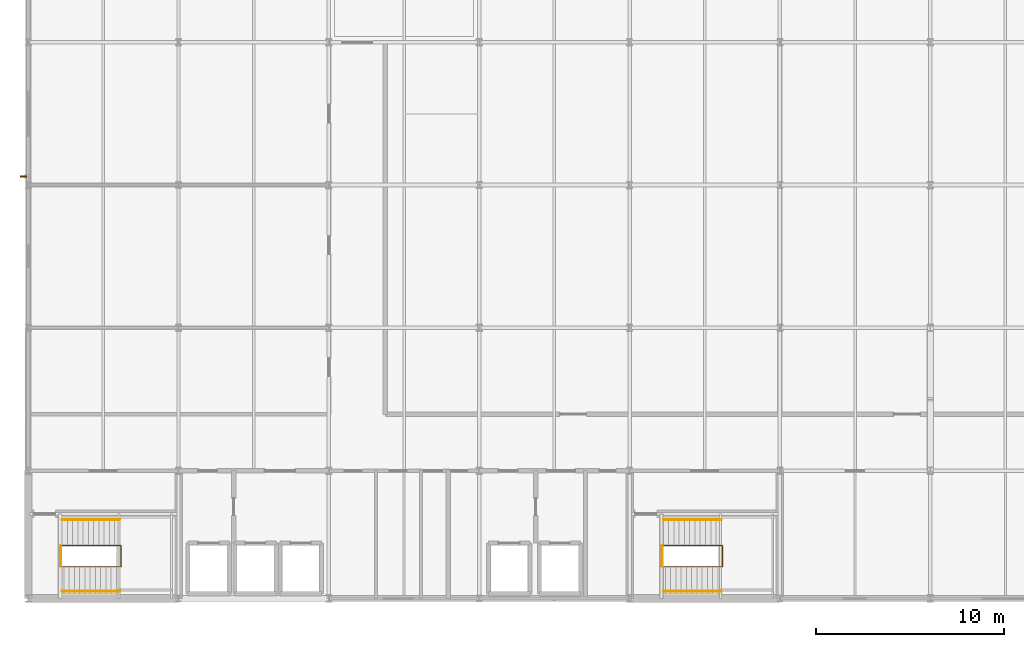
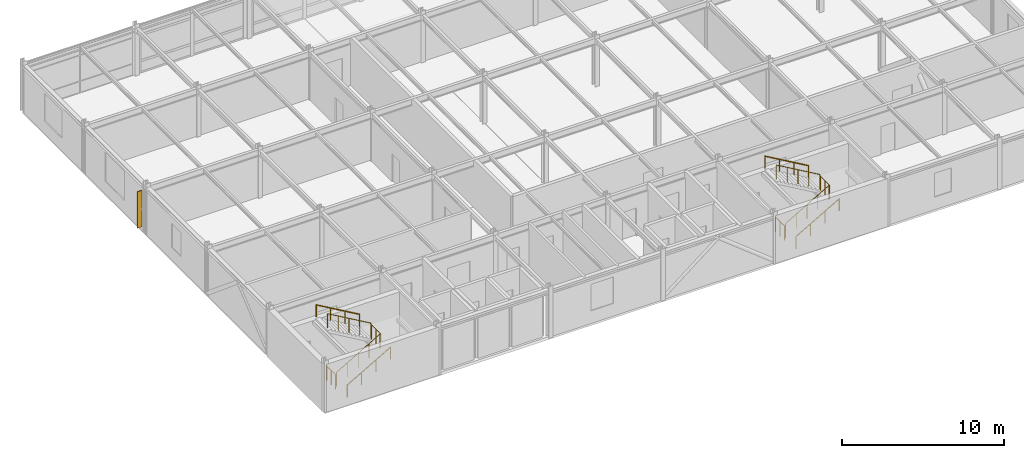
# One storey, part 14 of 15: 8 railings, 1 shading device.
"""IFC4 building model written with IfcOpenShell, lengths in metres."""

from ifc_helpers import new_model, si_unit, direction, frame, origin, origin_2d, place, context, subcontext, project, spatial, rectangle, circle, extrude, material, layer, layer_set, type_object, element, save


model = new_model("IFC4")

# Units and contexts
model_context = context("Model", 3, precision=1e-05, world=origin(), true_north=direction((0.0, 1.0)))
body_context = subcontext(model_context, "Body", "Model", "MODEL_VIEW")
ifc_project = project(units=[si_unit("LENGTHUNIT", "METRE"), si_unit("AREAUNIT", "SQUARE_METRE"), si_unit("VOLUMEUNIT", "CUBIC_METRE"), si_unit("PLANEANGLEUNIT", "RADIAN"), si_unit("MASSUNIT", "GRAM", prefix="KILO")], contexts=[model_context])

# Site, building, storey
site_placement = place(None, origin())
site = spatial("IfcSite", under=ifc_project, at=site_placement, CompositionType="ELEMENT")
building_placement = place(site_placement, origin())
building = spatial("IfcBuilding", under=site, at=building_placement, Name="Shalkamar Park Central Library", CompositionType="ELEMENT")
storey_placement = place(building_placement, frame((0.0, 0.0, 47.699951171875)))
storey = spatial("IfcBuildingStorey", under=building, at=storey_placement, Name="L12", CompositionType="ELEMENT", Elevation=47.699951171875)

# Shading device
ifc_material_1 = material(Name="Anodized bronze aluminium solar fin", Category="aluminium")
ifc_layer = layer(ifc_material_1, 0.06005859375)
ifc_layer_set = layer_set([ifc_layer], Name="BronzeSolarLouvreBlade")
shading_device_type = type_object("IfcShadingDeviceType", Name="Bronze Solar Louvre Blade", PredefinedType="SHUTTER", material=ifc_layer_set)
shading_device_placement = place(storey_placement, frame((164.739990234375, 270.85595703125, 0.2998046875), z_axis=(0.0, 0.0, 1.0), x_axis=(1.0, 0.0, 0.0)))
element("IfcShadingDevice", 1, at=shading_device_placement, inside=storey, type_object=shading_device_type, Name="Vertical Solar Fin L12-017", PredefinedType="SHUTTER", context=body_context, shape_type="SweptSolid", body=[
    extrude(rectangle(XDim=0.35009765625, YDim=0.06005859375, at=origin_2d()), origin(), (0.0, 0.0, 1.0), 2.738037109375),
])

# Railings
ifc_material_2 = material(Name="Steel S355", Category="steel")
railing_type_1 = type_object("IfcRailingType", Name="Stair Guardrail 1100", PredefinedType="GUARDRAIL", material=ifc_material_2)
railing_1_placement = place(storey_placement, frame((166.800048828125, 250.090087890625, 0.16259765625)))
element("IfcRailing", 2, at=railing_1_placement, inside=storey, type_object=railing_type_1, Name="Stair Inner Well Guardrail ST-T1-L12", PredefinedType="GUARDRAIL", context=body_context, shape_type="SweptSolid", body=[
    extrude(circle(Radius=0.02392578125, at=origin_2d()), frame((0.0, 0.0, 1.076171875), z_axis=(0.864903211148, 0.0, 0.501938676878), x_axis=(0.0, 1.0, 0.0)), (0.0, 0.0, 1.0), 3.560791015625),
    extrude(circle(Radius=0.02392578125, at=origin_2d()), frame((3.079833984375, 0.0, 2.86328125), z_axis=(1.0, 0.0, 0.0), x_axis=(0.0, 1.0, 0.0)), (0.0, 0.0, 1.0), 0.06005859375),
    extrude(circle(Radius=0.02392578125, at=origin_2d()), frame((3.139892578125, 0.0, 2.86328125), z_axis=(0.0, 1.0, 0.0), x_axis=(-1.0, 0.0, 0.0)), (0.0, 0.0, 1.0), 1.119873046875),
    extrude(circle(Radius=0.02392578125, at=origin_2d()), frame((3.139892578125, 1.119873046875, 2.86328125), z_axis=(-0.346488496144, 0.0, 0.938054221269), x_axis=(0.0, -1.0, 0.0)), (0.0, 0.0, 1.0), 0.17333984375),
    extrude(circle(Radius=0.02392578125, at=origin_2d()), frame((3.079833984375, 1.119873046875, 3.02587890625), z_axis=(-0.864873446163, 0.0, 0.501989962173), x_axis=(0.0, -1.0, 0.0)), (0.0, 0.0, 1.0), 3.56103515625),
    extrude(circle(Radius=0.02099609375, at=origin_2d()), origin(), (0.0, 0.0, 1.0), 1.052001953125),
    extrude(circle(Radius=0.02099609375, at=origin_2d()), frame((0.77001953125, 0.0, 0.44677734375)), (0.0, 0.0, 1.0), 1.052001953125),
    extrude(circle(Radius=0.02099609375, at=origin_2d()), frame((1.5400390625, 0.0, 0.8935546875)), (0.0, 0.0, 1.0), 1.052001953125),
    extrude(circle(Radius=0.02099609375, at=origin_2d()), frame((2.309814453125, 0.0, 1.340576171875)), (0.0, 0.0, 1.0), 1.052001953125),
    extrude(circle(Radius=0.02099609375, at=origin_2d()), frame((3.079833984375, 0.0, 1.787353515625)), (0.0, 0.0, 1.0), 1.052001953125),
    extrude(circle(Radius=0.02099609375, at=origin_2d()), frame((3.139892578125, 0.0, 1.787353515625)), (0.0, 0.0, 1.0), 1.052001953125),
    extrude(circle(Radius=0.02099609375, at=origin_2d()), frame((3.139892578125, 0.56005859375, 1.787353515625)), (0.0, 0.0, 1.0), 1.052001953125),
    extrude(circle(Radius=0.02099609375, at=origin_2d()), frame((3.139892578125, 1.119873046875, 1.787353515625)), (0.0, 0.0, 1.0), 1.052001953125),
    extrude(circle(Radius=0.02099609375, at=origin_2d()), frame((3.079833984375, 1.119873046875, 1.949951171875)), (0.0, 0.0, 1.0), 1.052001953125),
    extrude(circle(Radius=0.02099609375, at=origin_2d()), frame((2.309814453125, 1.119873046875, 2.39697265625)), (0.0, 0.0, 1.0), 1.052001953125),
    extrude(circle(Radius=0.02099609375, at=origin_2d()), frame((1.5400390625, 1.119873046875, 2.84375)), (0.0, 0.0, 1.0), 1.052001953125),
    extrude(circle(Radius=0.02099609375, at=origin_2d()), frame((0.77001953125, 1.119873046875, 3.29052734375)), (0.0, 0.0, 1.0), 1.052001953125),
    extrude(circle(Radius=0.02099609375, at=origin_2d()), frame((0.0, 1.119873046875, 3.737548828125)), (0.0, 0.0, 1.0), 1.052001953125),
])
railing_2_placement = place(storey_placement, frame((166.739990234375, 250.10009765625, 0.0)))
element("IfcRailing", 3, at=railing_2_placement, inside=storey, type_object=railing_type_1, Name="Stair Arrival Well Guardrail ST-T1 (L12)", PredefinedType="GUARDRAIL", context=body_context, shape_type="SweptSolid", body=[
    extrude(circle(Radius=0.02392578125, at=origin_2d()), frame((0.0, 0.0, 1.076171875), z_axis=(0.0, 1.0, 0.0), x_axis=(-1.0, 0.0, 0.0)), (0.0, 0.0, 1.0), 1.099853515625),
    extrude(circle(Radius=0.02099609375, at=origin_2d()), origin(), (0.0, 0.0, 1.0), 1.052001953125),
    extrude(circle(Radius=0.02099609375, at=origin_2d()), frame((0.0, 0.5498046875, 0.0)), (0.0, 0.0, 1.0), 1.052001953125),
    extrude(circle(Radius=0.02099609375, at=origin_2d()), frame((0.0, 1.099853515625, 0.0)), (0.0, 0.0, 1.0), 1.052001953125),
])
railing_3_placement = place(storey_placement, frame((198.800048828125, 250.090087890625, 0.16259765625)))
element("IfcRailing", 4, at=railing_3_placement, inside=storey, type_object=railing_type_1, Name="Stair Inner Well Guardrail ST-T2-L12", PredefinedType="GUARDRAIL", context=body_context, shape_type="SweptSolid", body=[
    extrude(circle(Radius=0.02392578125, at=origin_2d()), frame((0.0, 0.0, 1.076171875), z_axis=(0.864903211148, 0.0, 0.501938676878), x_axis=(0.0, 1.0, 0.0)), (0.0, 0.0, 1.0), 3.560791015625),
    extrude(circle(Radius=0.02392578125, at=origin_2d()), frame((3.079833984375, 0.0, 2.86328125), z_axis=(1.0, 0.0, 0.0), x_axis=(0.0, 1.0, 0.0)), (0.0, 0.0, 1.0), 0.06005859375),
    extrude(circle(Radius=0.02392578125, at=origin_2d()), frame((3.139892578125, 0.0, 2.86328125), z_axis=(0.0, 1.0, 0.0), x_axis=(-1.0, 0.0, 0.0)), (0.0, 0.0, 1.0), 1.119873046875),
    extrude(circle(Radius=0.02392578125, at=origin_2d()), frame((3.139892578125, 1.119873046875, 2.86328125), z_axis=(-0.346488496144, 0.0, 0.938054221269), x_axis=(0.0, -1.0, 0.0)), (0.0, 0.0, 1.0), 0.17333984375),
    extrude(circle(Radius=0.02392578125, at=origin_2d()), frame((3.079833984375, 1.119873046875, 3.02587890625), z_axis=(-0.864873446163, 0.0, 0.501989962173), x_axis=(0.0, -1.0, 0.0)), (0.0, 0.0, 1.0), 3.56103515625),
    extrude(circle(Radius=0.02099609375, at=origin_2d()), origin(), (0.0, 0.0, 1.0), 1.052001953125),
    extrude(circle(Radius=0.02099609375, at=origin_2d()), frame((0.77001953125, 0.0, 0.44677734375)), (0.0, 0.0, 1.0), 1.052001953125),
    extrude(circle(Radius=0.02099609375, at=origin_2d()), frame((1.5400390625, 0.0, 0.8935546875)), (0.0, 0.0, 1.0), 1.052001953125),
    extrude(circle(Radius=0.02099609375, at=origin_2d()), frame((2.309814453125, 0.0, 1.340576171875)), (0.0, 0.0, 1.0), 1.052001953125),
    extrude(circle(Radius=0.02099609375, at=origin_2d()), frame((3.079833984375, 0.0, 1.787353515625)), (0.0, 0.0, 1.0), 1.052001953125),
    extrude(circle(Radius=0.02099609375, at=origin_2d()), frame((3.139892578125, 0.0, 1.787353515625)), (0.0, 0.0, 1.0), 1.052001953125),
    extrude(circle(Radius=0.02099609375, at=origin_2d()), frame((3.139892578125, 0.56005859375, 1.787353515625)), (0.0, 0.0, 1.0), 1.052001953125),
    extrude(circle(Radius=0.02099609375, at=origin_2d()), frame((3.139892578125, 1.119873046875, 1.787353515625)), (0.0, 0.0, 1.0), 1.052001953125),
    extrude(circle(Radius=0.02099609375, at=origin_2d()), frame((3.079833984375, 1.119873046875, 1.949951171875)), (0.0, 0.0, 1.0), 1.052001953125),
    extrude(circle(Radius=0.02099609375, at=origin_2d()), frame((2.309814453125, 1.119873046875, 2.39697265625)), (0.0, 0.0, 1.0), 1.052001953125),
    extrude(circle(Radius=0.02099609375, at=origin_2d()), frame((1.5400390625, 1.119873046875, 2.84375)), (0.0, 0.0, 1.0), 1.052001953125),
    extrude(circle(Radius=0.02099609375, at=origin_2d()), frame((0.77001953125, 1.119873046875, 3.29052734375)), (0.0, 0.0, 1.0), 1.052001953125),
    extrude(circle(Radius=0.02099609375, at=origin_2d()), frame((0.0, 1.119873046875, 3.737548828125)), (0.0, 0.0, 1.0), 1.052001953125),
])
railing_4_placement = place(storey_placement, frame((198.739990234375, 250.10009765625, 0.0)))
element("IfcRailing", 5, at=railing_4_placement, inside=storey, type_object=railing_type_1, Name="Stair Arrival Well Guardrail ST-T2 (L12)", PredefinedType="GUARDRAIL", context=body_context, shape_type="SweptSolid", body=[
    extrude(circle(Radius=0.02392578125, at=origin_2d()), frame((0.0, 0.0, 1.076171875), z_axis=(0.0, 1.0, 0.0), x_axis=(-1.0, 0.0, 0.0)), (0.0, 0.0, 1.0), 1.099853515625),
    extrude(circle(Radius=0.02099609375, at=origin_2d()), origin(), (0.0, 0.0, 1.0), 1.052001953125),
    extrude(circle(Radius=0.02099609375, at=origin_2d()), frame((0.0, 0.5498046875, 0.0)), (0.0, 0.0, 1.0), 1.052001953125),
    extrude(circle(Radius=0.02099609375, at=origin_2d()), frame((0.0, 1.099853515625, 0.0)), (0.0, 0.0, 1.0), 1.052001953125),
])
railing_type_2 = type_object("IfcRailingType", Name="Stair Pitched Handrail 920", PredefinedType="HANDRAIL", material=ifc_material_2)
railing_5_placement = place(storey_placement, frame((166.800048828125, 248.780029296875, 0.16259765625)))
element("IfcRailing", 6, at=railing_5_placement, inside=storey, type_object=railing_type_2, Name="Stair Wall Handrail ST-T1-L12 Flight 1", PredefinedType="HANDRAIL", context=body_context, shape_type="SweptSolid", body=[
    extrude(circle(Radius=0.02392578125, at=origin_2d()), frame((0.0, 0.0, 0.89599609375), z_axis=(0.864903211148, 0.0, 0.501938676878), x_axis=(0.0, 1.0, 0.0)), (0.0, 0.0, 1.0), 3.560791015625),
    extrude(circle(Radius=0.02099609375, at=origin_2d()), origin(), (0.0, 0.0, 1.0), 0.871826171875),
    extrude(circle(Radius=0.02099609375, at=origin_2d()), frame((1.026611328125, 0.0, 0.595703125)), (0.0, 0.0, 1.0), 0.871826171875),
    extrude(circle(Radius=0.02099609375, at=origin_2d()), frame((2.05322265625, 0.0, 1.191650390625)), (0.0, 0.0, 1.0), 0.871826171875),
    extrude(circle(Radius=0.02099609375, at=origin_2d()), frame((3.079833984375, 0.0, 1.787353515625)), (0.0, 0.0, 1.0), 0.871826171875),
])
railing_6_placement = place(storey_placement, frame((169.8798828125, 252.60009765625, 2.112548828125)))
element("IfcRailing", 7, at=railing_6_placement, inside=storey, type_object=railing_type_2, Name="Stair Wall Handrail ST-T1-L12 Flight 2", PredefinedType="HANDRAIL", context=body_context, shape_type="SweptSolid", body=[
    extrude(circle(Radius=0.02392578125, at=origin_2d()), frame((0.0, 0.0, 0.89599609375), z_axis=(-0.864873446163, 0.0, 0.501989962173), x_axis=(0.0, -1.0, 0.0)), (0.0, 0.0, 1.0), 3.56103515625),
    extrude(circle(Radius=0.02099609375, at=origin_2d()), origin(), (0.0, 0.0, 1.0), 0.871826171875),
    extrude(circle(Radius=0.02099609375, at=origin_2d()), frame((-1.026611328125, 0.0, 0.595947265625)), (0.0, 0.0, 1.0), 0.871826171875),
    extrude(circle(Radius=0.02099609375, at=origin_2d()), frame((-2.05322265625, 0.0, 1.191650390625)), (0.0, 0.0, 1.0), 0.871826171875),
    extrude(circle(Radius=0.02099609375, at=origin_2d()), frame((-3.079833984375, 0.0, 1.78759765625)), (0.0, 0.0, 1.0), 0.871826171875),
])
railing_7_placement = place(storey_placement, frame((198.800048828125, 248.780029296875, 0.16259765625)))
element("IfcRailing", 8, at=railing_7_placement, inside=storey, type_object=railing_type_2, Name="Stair Wall Handrail ST-T2-L12 Flight 1", PredefinedType="HANDRAIL", context=body_context, shape_type="SweptSolid", body=[
    extrude(circle(Radius=0.02392578125, at=origin_2d()), frame((0.0, 0.0, 0.89599609375), z_axis=(0.864903211148, 0.0, 0.501938676878), x_axis=(0.0, 1.0, 0.0)), (0.0, 0.0, 1.0), 3.560791015625),
    extrude(circle(Radius=0.02099609375, at=origin_2d()), origin(), (0.0, 0.0, 1.0), 0.871826171875),
    extrude(circle(Radius=0.02099609375, at=origin_2d()), frame((1.026611328125, 0.0, 0.595703125)), (0.0, 0.0, 1.0), 0.871826171875),
    extrude(circle(Radius=0.02099609375, at=origin_2d()), frame((2.05322265625, 0.0, 1.191650390625)), (0.0, 0.0, 1.0), 0.871826171875),
    extrude(circle(Radius=0.02099609375, at=origin_2d()), frame((3.079833984375, 0.0, 1.787353515625)), (0.0, 0.0, 1.0), 0.871826171875),
])
railing_8_placement = place(storey_placement, frame((201.8798828125, 252.60009765625, 2.112548828125)))
element("IfcRailing", 9, at=railing_8_placement, inside=storey, type_object=railing_type_2, Name="Stair Wall Handrail ST-T2-L12 Flight 2", PredefinedType="HANDRAIL", context=body_context, shape_type="SweptSolid", body=[
    extrude(circle(Radius=0.02392578125, at=origin_2d()), frame((0.0, 0.0, 0.89599609375), z_axis=(-0.864873446163, 0.0, 0.501989962173), x_axis=(0.0, -1.0, 0.0)), (0.0, 0.0, 1.0), 3.56103515625),
    extrude(circle(Radius=0.02099609375, at=origin_2d()), origin(), (0.0, 0.0, 1.0), 0.871826171875),
    extrude(circle(Radius=0.02099609375, at=origin_2d()), frame((-1.026611328125, 0.0, 0.595947265625)), (0.0, 0.0, 1.0), 0.871826171875),
    extrude(circle(Radius=0.02099609375, at=origin_2d()), frame((-2.05322265625, 0.0, 1.191650390625)), (0.0, 0.0, 1.0), 0.871826171875),
    extrude(circle(Radius=0.02099609375, at=origin_2d()), frame((-3.079833984375, 0.0, 1.78759765625)), (0.0, 0.0, 1.0), 0.871826171875),
])

save(model, "model.ifc")
